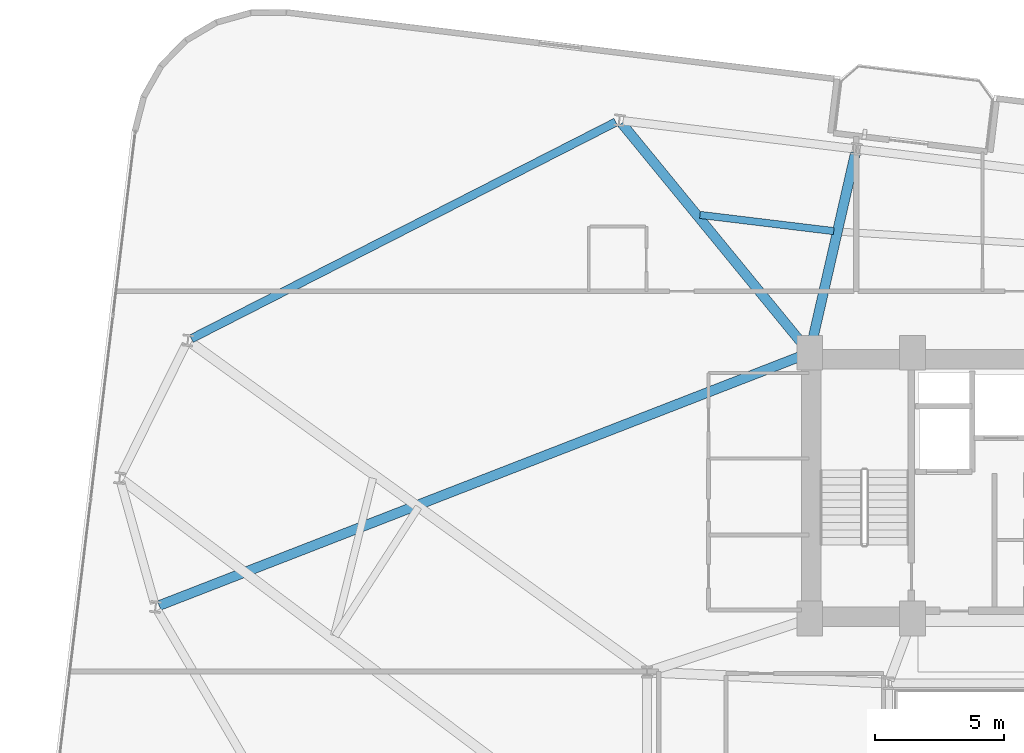
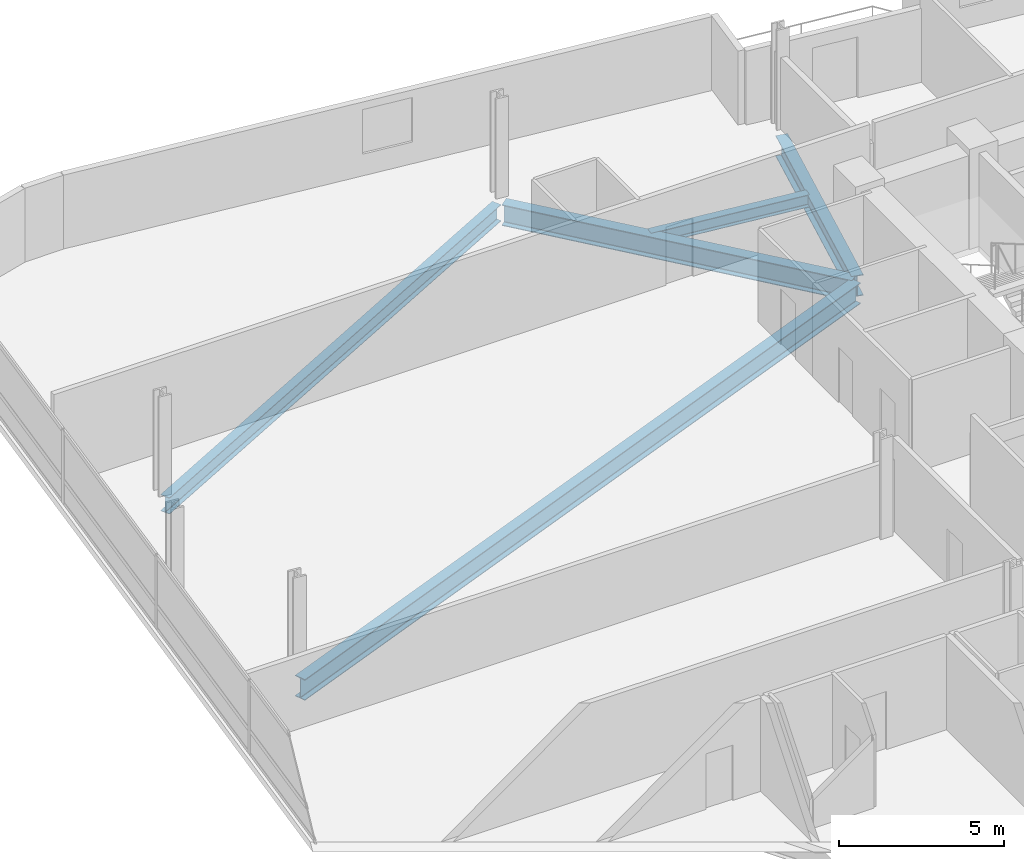
# One storey, part 11 of 26: 5 beams.
"""IFC4 building model written with IfcOpenShell, lengths in metres."""

import ifcopenshell
import ifcopenshell.guid

model = None  # the IFC model being written
_history = None  # IfcOwnerHistory: only IFC2X3 demands one
_inside = {}  # id of a spatial element -> (the spatial element, [elements in it])
_under = {}  # id of a project, library or spatial element -> (it, [spatial elements below it])
_declared = {}  # id of a project -> (the project, [libraries it declares])
_typed = {}  # id of a type object -> (the type object, [elements of that type])
_made_of = {}  # id of a material, layer set ... -> (it, [elements and type objects made of it])


def new_model(schema):
    """Start an empty IFC model of exactly this schema.

    Asked for "IFC4X3", IfcOpenShell would pick the latest addendum, in which some entities
    have other attributes; the version numbers below select the first issue.
    IFC2X3 requires an IfcOwnerHistory on every rooted entity: one is made here for all.
    """
    global model, _history
    if schema == "IFC4X3":
        model = ifcopenshell.file(schema_version=(4, 3, 0, 0))
    else:
        model = ifcopenshell.file(schema=schema)
    _inside.clear()
    _under.clear()
    _declared.clear()
    _typed.clear()
    _made_of.clear()
    _history = None
    if model.schema == "IFC2X3":
        org = make("IfcOrganization", Name="unknown")
        user = make(
            "IfcPersonAndOrganization",
            ThePerson=make("IfcPerson", FamilyName="unknown"),
            TheOrganization=org,
        )
        app = make(
            "IfcApplication",
            ApplicationDeveloper=org,
            Version="unknown",
            ApplicationFullName="unknown",
            ApplicationIdentifier="unknown",
        )
        _history = make(
            "IfcOwnerHistory",
            OwningUser=user,
            OwningApplication=app,
            ChangeAction="ADDED",
            CreationDate=0,
        )
    return model


def make(cls, **values):
    """One entity of the class cls with the attributes given. An attribute that is None is left unset."""
    return model.create_entity(
        cls, **{name: value for name, value in values.items() if value is not None}
    )


def rooted(cls, **values):
    """An entity with a GlobalId (a new one), such as an element, a storey or a relation."""
    return make(cls, GlobalId=ifcopenshell.guid.new(), OwnerHistory=_history, **values)


def si_unit(unit_type, name, prefix=None):
    """IfcSIUnit, for example si_unit("LENGTHUNIT", "METRE", prefix="MILLI")."""
    return make("IfcSIUnit", UnitType=unit_type, Prefix=prefix, Name=name)


def assignment(units):
    """IfcUnitAssignment: the units of a project."""
    return None if units is None else make("IfcUnitAssignment", Units=units)


def point(xyz):
    """IfcCartesianPoint."""
    return None if xyz is None else make("IfcCartesianPoint", Coordinates=xyz)


def direction(xyz):
    """IfcDirection."""
    return None if xyz is None else make("IfcDirection", DirectionRatios=xyz)


def frame(location, z_axis=None, x_axis=None):
    """IfcAxis2Placement3D, a coordinate frame: its origin and axes. An axis left out is left unset."""
    return make(
        "IfcAxis2Placement3D",
        Location=point(location),
        Axis=direction(z_axis),
        RefDirection=direction(x_axis),
    )


def frame_2d(location, x_axis=None):
    """IfcAxis2Placement2D, a coordinate frame in the plane: its origin and x axis."""
    return make(
        "IfcAxis2Placement2D", Location=point(location), RefDirection=direction(x_axis)
    )


def origin():
    """The frame at (0, 0, 0) with its axes left unset."""
    return frame((0.0, 0.0, 0.0))


def origin_2d():
    """The frame at (0, 0) in the plane with its x axis left unset."""
    return frame_2d((0.0, 0.0))


def place(relative_to, where):
    """IfcLocalPlacement: puts the frame where relative to a parent placement (None: the world)."""
    return make(
        "IfcLocalPlacement", PlacementRelTo=relative_to, RelativePlacement=where
    )


def context(
    kind, dimensions, precision=None, world=None, true_north=None, identifier=None
):
    """IfcGeometricRepresentationContext, for example the 3D "Model" context."""
    return make(
        "IfcGeometricRepresentationContext",
        ContextIdentifier=identifier,
        ContextType=kind,
        CoordinateSpaceDimension=dimensions,
        Precision=precision,
        WorldCoordinateSystem=world,
        TrueNorth=true_north,
    )


def subcontext(parent, identifier, kind, view, scale=None):
    """IfcGeometricRepresentationSubContext, for example "Body" below "Model"."""
    return make(
        "IfcGeometricRepresentationSubContext",
        ContextIdentifier=identifier,
        ContextType=kind,
        ParentContext=parent,
        TargetScale=scale,
        TargetView=view,
    )


def project(units=None, contexts=None):
    """IfcProject with its units and contexts."""
    return rooted(
        "IfcProject",
        Name="project",
        RepresentationContexts=contexts,
        UnitsInContext=assignment(units),
    )


def spatial(cls, under=None, at=None, **own):
    """A site, building, storey or space (cls), placed at a placement, below another one or the project."""
    s = rooted(cls, ObjectPlacement=at, **own)
    if under is not None:
        _under.setdefault(under.id(), (under, []))[1].append(s)
    return s


def profile(cls, at=None, kind="AREA", **sizes):
    """A parametric profile (cls). Its sizes go by their IFC names, for example OverallWidth=200.0."""
    return make(cls, ProfileType=kind, Position=at, **sizes)


def i_section(**sizes):
    """IfcIShapeProfileDef."""
    return profile("IfcIShapeProfileDef", **sizes)


def extrude(swept, where, along, depth):
    """IfcExtrudedAreaSolid: the profile swept, set in the frame where, extruded along a direction by depth."""
    return make(
        "IfcExtrudedAreaSolid",
        SweptArea=swept,
        Position=where,
        ExtrudedDirection=direction(along),
        Depth=depth,
    )


def shape(context_of_items, identifier, shape_type, items):
    """IfcShapeRepresentation: the items that make up one representation, for example the "Body"."""
    return make(
        "IfcShapeRepresentation",
        ContextOfItems=context_of_items,
        RepresentationIdentifier=identifier,
        RepresentationType=shape_type,
        Items=items,
    )


def material(Name=None, Category=None):
    """IfcMaterial."""
    return make("IfcMaterial", Name=Name, Category=Category)


def material_profile(
    of_material, cross_section, Name=None, Category=None, Priority=None
):
    """IfcMaterialProfile: a cross section and its material."""
    return make(
        "IfcMaterialProfile",
        Name=Name,
        Material=of_material,
        Profile=cross_section,
        Priority=Priority,
        Category=Category,
    )


def profile_set(profiles, Name=None, composite=None):
    """IfcMaterialProfileSet."""
    return make(
        "IfcMaterialProfileSet",
        Name=Name,
        MaterialProfiles=profiles,
        CompositeProfile=composite,
    )


def made_of(thing, what):
    """Note that an element or type object is made of a material, layer set ...; save() writes the relation."""
    if what is not None:
        _made_of.setdefault(what.id(), (what, []))[1].append(thing)
    return thing


def type_object(cls, material=None, **own):
    """A type object (cls), such as IfcWallType, which elements share."""
    return made_of(rooted(cls, **own), material)


def element(
    cls,
    number,
    at=None,
    inside=None,
    cuts=None,
    type_object=None,
    material=None,
    context=None,
    identifier="Body",
    shape_type=None,
    held_by="IfcProductDefinitionShape",
    body=None,
    shapes=None,
    **own,
):
    """One element of the class cls, such as IfcWall. Its Tag is "e" and its number.

    at: its placement. inside: the storey or other place that contains it. cuts: it is an
    opening in that element (IfcRelVoidsElement). A single representation is given by context,
    identifier, shape_type and body (its items); several are given by shapes. held_by: the class
    of the entity that holds the representations. save() writes the other relations.
    """
    e = rooted(cls, Tag="e%d" % number, ObjectPlacement=at, **own)
    if body is not None:
        shapes = [shape(context, identifier, shape_type, body)]
    if shapes is not None:
        e.Representation = make(held_by, Representations=shapes)
    if inside is not None:
        _inside.setdefault(inside.id(), (inside, []))[1].append(e)
    if cuts is not None:
        rooted(
            "IfcRelVoidsElement", RelatingBuildingElement=cuts, RelatedOpeningElement=e
        )
    if type_object is not None:
        _typed.setdefault(type_object.id(), (type_object, []))[1].append(e)
    return made_of(e, material)


def aggregate(whole, parts):
    """IfcRelAggregates: a whole, such as a stair, and the parts it consists of."""
    return rooted("IfcRelAggregates", RelatingObject=whole, RelatedObjects=parts)


def save(model, path):
    """Write the relations noted so far, then the file.

    IfcRelAggregates (storeys below a building ...), IfcRelContainedInSpatialStructure (elements
    in a storey), IfcRelDefinesByType, IfcRelAssociatesMaterial and IfcRelDeclares: one each for
    every whole, place, type object, material and project.
    """
    for whole, parts in _under.values():
        aggregate(whole, parts)
    for where, things in _inside.values():
        rooted(
            "IfcRelContainedInSpatialStructure",
            RelatedElements=things,
            RelatingStructure=where,
        )
    for kind, things in _typed.values():
        rooted("IfcRelDefinesByType", RelatedObjects=things, RelatingType=kind)
    for what, things in _made_of.values():
        rooted("IfcRelAssociatesMaterial", RelatedObjects=things, RelatingMaterial=what)
    for by, libraries in _declared.values():
        rooted("IfcRelDeclares", RelatingContext=by, RelatedDefinitions=libraries)
    model.write(path)


model = new_model("IFC4")

# Units and contexts
model_context = context("Model", 3, precision=1e-05, world=origin(), true_north=direction((0.0, 1.0)))
body_context = subcontext(model_context, "Body", "Model", "MODEL_VIEW")
ifc_project = project(units=[si_unit("LENGTHUNIT", "METRE"), si_unit("AREAUNIT", "SQUARE_METRE"), si_unit("VOLUMEUNIT", "CUBIC_METRE"), si_unit("PLANEANGLEUNIT", "RADIAN"), si_unit("MASSUNIT", "GRAM", prefix="KILO")], contexts=[model_context])

# Site, building, storey
site_placement = place(None, origin())
site = spatial("IfcSite", under=ifc_project, at=site_placement, CompositionType="ELEMENT")
building_placement = place(site_placement, origin())
building = spatial("IfcBuilding", under=site, at=building_placement, Name="Varnelok Gate Tower", CompositionType="ELEMENT")
storey_placement = place(building_placement, frame((0.0, 0.0, 129.10009765625)))
storey = spatial("IfcBuildingStorey", under=building, at=storey_placement, Name="L32", CompositionType="ELEMENT", Elevation=129.10009765625)

# Beams
ifc_material = material(Name="Structural Steel ASTM A992 Grade 50", Category="steel")
ifc_material_profile_1 = material_profile(ifc_material, i_section(OverallWidth=0.280029296875, OverallDepth=0.462890625, WebThickness=0.0107421875, FlangeThickness=0.017333984375, FilletRadius=0.014892578125, at=origin_2d()), Name="W18X76")
ifc_profile_set_1 = profile_set([ifc_material_profile_1], Name="Structural Steel ASTM A992 Grade 50")
beam_type_1 = type_object("IfcBeamType", Name="BM-JST-W18X76", PredefinedType="JOIST", material=ifc_profile_set_1)
beam_1_placement = place(storey_placement, frame((31.635498046875, 43.76318359375, -0.481689453125), z_axis=(-0.99273192091, 0.120346720792, 0.0), x_axis=(-0.120346720792, -0.99273192091, 0.0)))
element("IfcBeam", 1, at=beam_1_placement, inside=storey, type_object=beam_type_1, Name="L32 Sector Floor Joist 10", PredefinedType="JOIST", context=body_context, shape_type="SweptSolid", body=[
    extrude(i_section(OverallWidth=0.280029296875, OverallDepth=0.462890625, WebThickness=0.0107421875, FlangeThickness=0.017333984375, FilletRadius=0.014892578125, at=origin_2d()), origin(), (0.0, 0.0, 1.0), 5.223876953125),
])
ifc_material_profile_2 = material_profile(ifc_material, i_section(OverallWidth=0.381103515625, OverallDepth=0.77294921875, WebThickness=0.0166015625, FlangeThickness=0.027099609375, FilletRadius=0.02197265625, at=origin_2d()), Name="W30X173")
ifc_profile_set_2 = profile_set([ifc_material_profile_2], Name="Structural Steel ASTM A992 Grade 50")
beam_type_2 = type_object("IfcBeamType", Name="BM-PRI-W30X173", PredefinedType="BEAM", material=ifc_profile_set_2)
beam_2_placement = place(storey_placement, frame((30.7333984375, 39.1962890625, -0.63671875), z_axis=(0.223043307507, 0.974808536573, 0.0), x_axis=(-0.974808536573, 0.223043307507, 0.0)))
element("IfcBeam", 2, at=beam_2_placement, inside=storey, type_object=beam_type_2, Name="L32 Radial Floor Girder 12", PredefinedType="BEAM", context=body_context, shape_type="SweptSolid", body=[
    extrude(i_section(OverallWidth=0.381103515625, OverallDepth=0.77294921875, WebThickness=0.0166015625, FlangeThickness=0.027099609375, FilletRadius=0.02197265625, at=origin_2d()), origin(), (0.0, 0.0, 1.0), 7.796875),
])
beam_3_placement = place(storey_placement, frame((30.60498046875, 39.166015625, -0.63671875), z_axis=(-0.633655000371, 0.773615757663, 0.0), x_axis=(-0.773615757663, -0.633655000371, 0.0)))
element("IfcBeam", 3, at=beam_3_placement, inside=storey, type_object=beam_type_2, Name="L32 Radial Floor Girder 13", PredefinedType="BEAM", context=body_context, shape_type="SweptSolid", body=[
    extrude(i_section(OverallWidth=0.381103515625, OverallDepth=0.77294921875, WebThickness=0.0166015625, FlangeThickness=0.027099609375, FilletRadius=0.02197265625, at=origin_2d()), origin(), (0.0, 0.0, 1.0), 11.341796875),
])
beam_4_placement = place(storey_placement, frame((30.560302734375, 38.99560546875, -0.63671875), z_axis=(-0.93209869119, -0.362204403454, 0.0), x_axis=(0.362204403454, -0.93209869119, 0.0)))
element("IfcBeam", 4, at=beam_4_placement, inside=storey, type_object=beam_type_2, Name="L32 Radial Floor Girder 16", PredefinedType="BEAM", context=body_context, shape_type="SweptSolid", body=[
    extrude(i_section(OverallWidth=0.381103515625, OverallDepth=0.77294921875, WebThickness=0.0166015625, FlangeThickness=0.027099609375, FilletRadius=0.02197265625, at=origin_2d()), origin(), (0.0, 0.0, 1.0), 26.890869140625),
])
ifc_material_profile_3 = material_profile(ifc_material, i_section(OverallWidth=0.323974609375, OverallDepth=0.611083984375, WebThickness=0.0126953125, FlangeThickness=0.01904296875, FilletRadius=0.01806640625, at=origin_2d()), Name="W24X104")
ifc_profile_set_3 = profile_set([ifc_material_profile_3], Name="Structural Steel ASTM A992 Grade 50")
beam_type_3 = type_object("IfcBeamType", Name="BM-SPN-W24X104", PredefinedType="SPANDREL", material=ifc_profile_set_3)
beam_5_placement = place(storey_placement, frame((23.189697265625, 47.98779296875, -0.5556640625), z_axis=(-0.890729755615, -0.454533279819, 0.0), x_axis=(0.454533279819, -0.890729755615, 0.0)))
element("IfcBeam", 5, at=beam_5_placement, inside=storey, type_object=beam_type_3, Name="L32 Perimeter Spandrel Beam 13", PredefinedType="SPANDREL", context=body_context, shape_type="SweptSolid", body=[
    extrude(i_section(OverallWidth=0.323974609375, OverallDepth=0.611083984375, WebThickness=0.0126953125, FlangeThickness=0.01904296875, FilletRadius=0.01806640625, at=origin_2d()), origin(), (0.0, 0.0, 1.0), 18.466796875),
])

save(model, "model.ifc")
